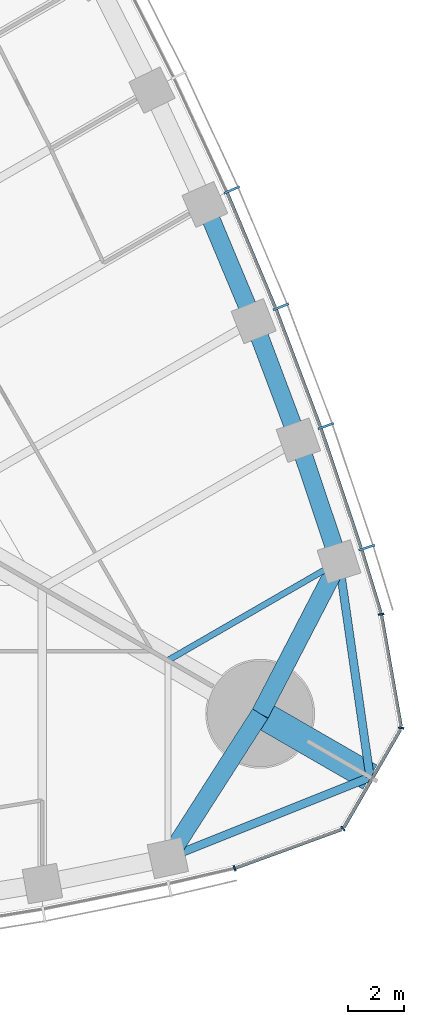
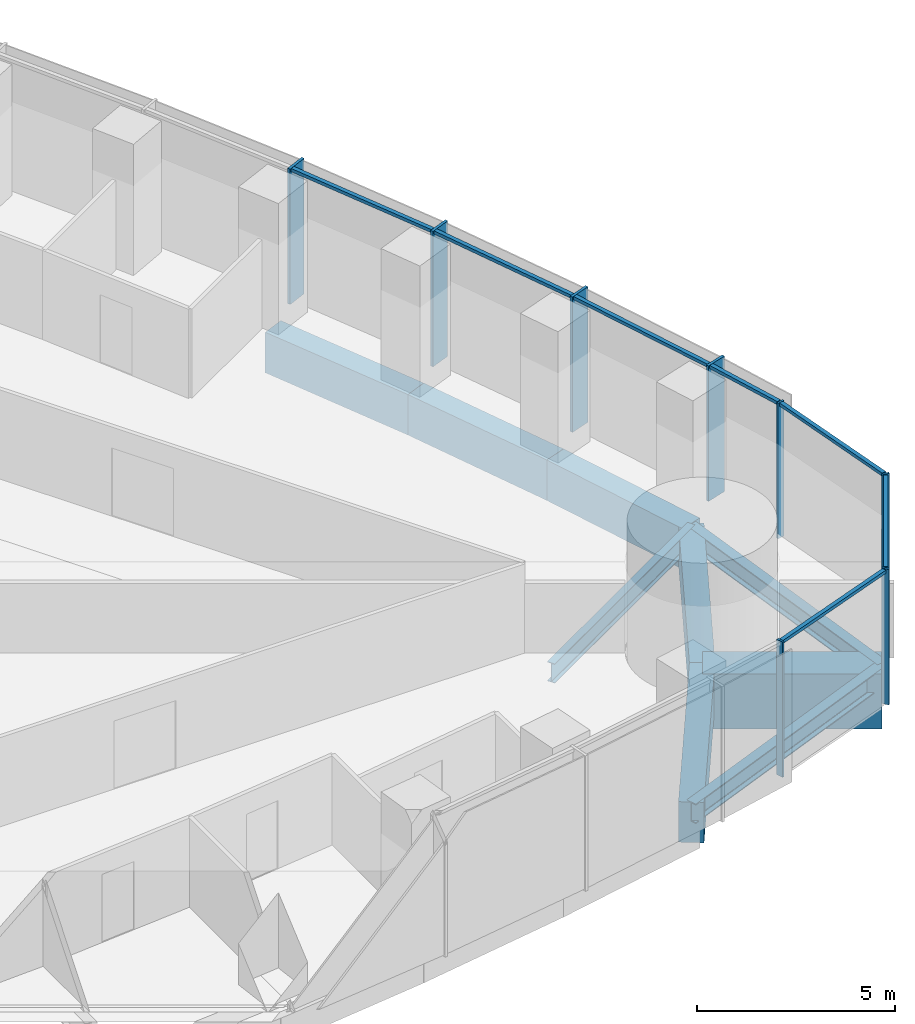
# One storey, part 8 of 21: 15 members, 9 beams, 2 elements without a shape of their own.
"""IFC4 building model written with IfcOpenShell, lengths in metres."""

from ifc_helpers import new_model, si_unit, direction, frame, origin, origin_2d, place, context, subcontext, project, spatial, rectangle, i_section, extrude, material, material_profile, profile_set, type_object, element, aggregate, save


model = new_model("IFC4")

# Units and contexts
model_context = context("Model", 3, precision=1e-05, world=origin(), true_north=direction((0.0, 1.0)))
body_context = subcontext(model_context, "Body", "Model", "MODEL_VIEW")
ifc_project = project(units=[si_unit("LENGTHUNIT", "METRE"), si_unit("AREAUNIT", "SQUARE_METRE"), si_unit("VOLUMEUNIT", "CUBIC_METRE"), si_unit("PLANEANGLEUNIT", "RADIAN"), si_unit("MASSUNIT", "GRAM", prefix="KILO")], contexts=[model_context])

# Site, building, storey
site_placement = place(None, origin())
site = spatial("IfcSite", under=ifc_project, at=site_placement, CompositionType="ELEMENT")
building_placement = place(site_placement, origin())
building = spatial("IfcBuilding", under=site, at=building_placement, Name="Trefoil Bronze Tower", CompositionType="ELEMENT")
storey_placement = place(building_placement, frame((0.0, 0.0, 145.10009765625)))
storey = spatial("IfcBuildingStorey", under=building, at=storey_placement, Name="L33", CompositionType="ELEMENT", Elevation=145.10009765625)

# Curtain wall, members
ifc_material_1 = material(Name="Tinted solar-control glass", Category="glass")
curtain_wall_type_1 = type_object("IfcCurtainWallType", Name="Bronze office curtain wall", PredefinedType="USERDEFINED", material=ifc_material_1)
curtain_wall_1_placement = place(storey_placement, origin())
curtain_wall_1 = element("IfcCurtainWall", 1, at=curtain_wall_1_placement, inside=storey, type_object=curtain_wall_type_1, Name="CW-A L33 F2", ObjectType="CURTAIN WALL", PredefinedType="USERDEFINED")
ifc_material_2 = material(Name="Bronze-finish aluminium", Category="aluminium")
ifc_material_profile_1 = material_profile(ifc_material_2, rectangle(XDim=0.60009765625, YDim=0.080078125, at=origin_2d()), Name="CW-A mullion")
ifc_profile_set_1 = profile_set([ifc_material_profile_1], Name="Bronze-finish aluminium")
member_type_1 = type_object("IfcMemberType", Name="Bronze office curtain wall mullion", PredefinedType="MULLION", material=ifc_profile_set_1)
member_1_placement = place(storey_placement, frame((34.1337890625, -11.543212890625, 0.0), z_axis=(0.0, 0.0, 1.0), x_axis=(-0.952331125357, -0.30506626768, 0.0)))
member_1 = element("IfcMember", 2, at=member_1_placement, type_object=member_type_1, Name="CW-A L33 F2 mullion 2", PredefinedType="MULLION", context=body_context, shape_type="SweptSolid", body=[
    extrude(rectangle(XDim=0.60009765625, YDim=0.080078125, at=origin_2d()), origin(), (0.0, 0.0, 1.0), 4.179931640625),
])
member_2_placement = place(storey_placement, frame((32.668701171875, -7.181884765625, 0.0), z_axis=(0.0, 0.0, 1.0), x_axis=(-0.94196250502, -0.335718094742, 0.0)))
member_2 = element("IfcMember", 3, at=member_2_placement, type_object=member_type_1, Name="CW-A L33 F2 mullion 3", PredefinedType="MULLION", context=body_context, shape_type="SweptSolid", body=[
    extrude(rectangle(XDim=0.60009765625, YDim=0.080078125, at=origin_2d()), origin(), (0.0, 0.0, 1.0), 4.179931640625),
])
member_3_placement = place(storey_placement, frame((31.055419921875, -2.90478515625, 0.0), z_axis=(0.0, 0.0, 1.0), x_axis=(-0.929071242848, -0.369900832269, 0.0)))
member_3 = element("IfcMember", 4, at=member_3_placement, type_object=member_type_1, Name="CW-A L33 F2 mullion 4", PredefinedType="MULLION", context=body_context, shape_type="SweptSolid", body=[
    extrude(rectangle(XDim=0.60009765625, YDim=0.080078125, at=origin_2d()), origin(), (0.0, 0.0, 1.0), 4.179931640625),
])
member_4_placement = place(storey_placement, frame((29.296875, 1.28857421875, 0.0), z_axis=(0.0, 0.0, 1.0), x_axis=(-0.915018269914, -0.40341240155, 0.0)))
member_4 = element("IfcMember", 5, at=member_4_placement, type_object=member_type_1, Name="CW-A L33 F2 mullion 5", PredefinedType="MULLION", context=body_context, shape_type="SweptSolid", body=[
    extrude(rectangle(XDim=0.60009765625, YDim=0.080078125, at=origin_2d()), origin(), (0.0, 0.0, 1.0), 4.179931640625),
])
ifc_material_3 = material(Name="Bronze-finish aluminium", Category="aluminium")
ifc_material_profile_2 = material_profile(ifc_material_3, rectangle(XDim=0.1201171875, YDim=0.10009765625, at=origin_2d()), Name="CW-A transom")
ifc_profile_set_2 = profile_set([ifc_material_profile_2], Name="Bronze-finish aluminium")
member_type_2 = type_object("IfcMemberType", Name="Bronze office curtain wall transom", PredefinedType="USERDEFINED", material=ifc_profile_set_2)
member_5_placement = place(storey_placement, frame((34.637939453125, -13.88232421875, 4.1298828125), z_axis=(-0.291680468798, 0.956515814883, 0.0), x_axis=(-0.956515814883, -0.291680468798, 0.0)))
member_5 = element("IfcMember", 6, at=member_5_placement, type_object=member_type_2, Name="CW-A L33 F2 transom 1", ObjectType="TRANSOM", PredefinedType="USERDEFINED", context=body_context, shape_type="SweptSolid", body=[
    extrude(rectangle(XDim=0.1201171875, YDim=0.10009765625, at=origin_2d()), origin(), (0.0, 0.0, 1.0), 2.34033203125),
])
member_6_placement = place(storey_placement, frame((33.929931640625, -11.56494140625, 4.1298828125), z_axis=(-0.318386323729, 0.947961048178, 0.0), x_axis=(-0.947961048178, -0.318386323729, 0.0)))
member_6 = element("IfcMember", 7, at=member_6_placement, type_object=member_type_2, Name="CW-A L33 F2 transom 2", ObjectType="TRANSOM", PredefinedType="USERDEFINED", context=body_context, shape_type="SweptSolid", body=[
    extrude(rectangle(XDim=0.1201171875, YDim=0.10009765625, at=origin_2d()), origin(), (0.0, 0.0, 1.0), 4.51123046875),
])
member_7_placement = place(storey_placement, frame((32.465576171875, -7.2099609375, 4.1298828125), z_axis=(-0.352932154759, 0.935648916067, 0.0), x_axis=(-0.935648916067, -0.352932154759, 0.0)))
member_7 = element("IfcMember", 8, at=member_7_placement, type_object=member_type_2, Name="CW-A L33 F2 transom 3", ObjectType="TRANSOM", PredefinedType="USERDEFINED", context=body_context, shape_type="SweptSolid", body=[
    extrude(rectangle(XDim=0.1201171875, YDim=0.10009765625, at=origin_2d()), origin(), (0.0, 0.0, 1.0), 4.48046875),
])
member_8_placement = place(storey_placement, frame((30.853515625, -2.940185546875, 4.1298828125), z_axis=(-0.386773266184, 0.922174842731, 0.0), x_axis=(-0.922174842731, -0.386773266184, 0.0)))
member_8 = element("IfcMember", 9, at=member_8_placement, type_object=member_type_2, Name="CW-A L33 F2 transom 4", ObjectType="TRANSOM", PredefinedType="USERDEFINED", context=body_context, shape_type="SweptSolid", body=[
    extrude(rectangle(XDim=0.1201171875, YDim=0.10009765625, at=origin_2d()), origin(), (0.0, 0.0, 1.0), 4.45654296875),
])
aggregate(curtain_wall_1, [member_1, member_2, member_3, member_4, member_5, member_6, member_7, member_8])

ifc_material_4 = material(Name="Tinted solar-control glass", Category="glass")
curtain_wall_type_2 = type_object("IfcCurtainWallType", Name="Bronze rounded corner curtain wall", PredefinedType="USERDEFINED", material=ifc_material_4)
curtain_wall_2_placement = place(storey_placement, origin())
curtain_wall_2 = element("IfcCurtainWall", 10, at=curtain_wall_2_placement, inside=storey, type_object=curtain_wall_type_2, Name="CW-B L33 K1", ObjectType="CURTAIN WALL", PredefinedType="USERDEFINED")
ifc_material_5 = material(Name="Bronze-finish aluminium", Category="aluminium")
ifc_material_profile_3 = material_profile(ifc_material_5, rectangle(XDim=0.199951171875, YDim=0.06005859375, at=origin_2d()), Name="CW-B mullion")
ifc_profile_set_3 = profile_set([ifc_material_profile_3], Name="Bronze-finish aluminium")
member_type_3 = type_object("IfcMemberType", Name="Bronze rounded corner curtain wall mullion", PredefinedType="MULLION", material=ifc_profile_set_3)
member_9_placement = place(storey_placement, frame((29.391845703125, -23.043701171875, 0.0), z_axis=(0.0, 0.0, 1.0), x_axis=(-0.342020143326, 0.939692620786, 0.0)))
member_9 = element("IfcMember", 11, at=member_9_placement, type_object=member_type_3, Name="CW-B L33 K1 mullion 1", PredefinedType="MULLION", context=body_context, shape_type="SweptSolid", body=[
    extrude(rectangle(XDim=0.199951171875, YDim=0.06005859375, at=origin_2d()), origin(), (0.0, 0.0, 1.0), 4.179931640625),
])
member_10_placement = place(storey_placement, frame((33.27880859375, -21.62255859375, 0.0), z_axis=(0.0, 0.0, 1.0), x_axis=(-0.642787609687, 0.766044443119, 0.0)))
member_10 = element("IfcMember", 12, at=member_10_placement, type_object=member_type_3, Name="CW-B L33 K1 mullion 2", PredefinedType="MULLION", context=body_context, shape_type="SweptSolid", body=[
    extrude(rectangle(XDim=0.199951171875, YDim=0.06005859375, at=origin_2d()), origin(), (0.0, 0.0, 1.0), 4.179931640625),
])
member_11_placement = place(storey_placement, frame((35.364990234375, -18.009033203125, 0.0), z_axis=(0.0, 0.0, 1.0), x_axis=(-0.984807753012, 0.173648177667, 0.0)))
member_11 = element("IfcMember", 13, at=member_11_placement, type_object=member_type_3, Name="CW-B L33 K1 mullion 3", PredefinedType="MULLION", context=body_context, shape_type="SweptSolid", body=[
    extrude(rectangle(XDim=0.199951171875, YDim=0.06005859375, at=origin_2d()), origin(), (0.0, 0.0, 1.0), 4.179931640625),
])
member_12_placement = place(storey_placement, frame((34.65234375, -13.932373046875, 0.0), z_axis=(0.0, 0.0, 1.0), x_axis=(-0.984807753012, -0.173648177667, 0.0)))
member_12 = element("IfcMember", 14, at=member_12_placement, type_object=member_type_3, Name="CW-B L33 K1 mullion 4", PredefinedType="MULLION", context=body_context, shape_type="SweptSolid", body=[
    extrude(rectangle(XDim=0.199951171875, YDim=0.06005859375, at=origin_2d()), origin(), (0.0, 0.0, 1.0), 4.179931640625),
])
ifc_material_6 = material(Name="Bronze-finish aluminium", Category="aluminium")
ifc_material_profile_4 = material_profile(ifc_material_6, rectangle(XDim=0.1201171875, YDim=0.10009765625, at=origin_2d()), Name="CW-B transom")
ifc_profile_set_4 = profile_set([ifc_material_profile_4], Name="Bronze-finish aluminium")
member_type_4 = type_object("IfcMemberType", Name="Bronze rounded corner curtain wall transom", PredefinedType="USERDEFINED", material=ifc_profile_set_4)
member_13_placement = place(storey_placement, frame((29.420166015625, -23.033447265625, 4.1298828125), z_axis=(0.939684096629, 0.342043562347, 0.0), x_axis=(-0.342043562347, 0.939684096629, 0.0)))
member_13 = element("IfcMember", 15, at=member_13_placement, type_object=member_type_4, Name="CW-B L33 K1 transom 1", ObjectType="TRANSOM", PredefinedType="USERDEFINED", context=body_context, shape_type="SweptSolid", body=[
    extrude(rectangle(XDim=0.1201171875, YDim=0.10009765625, at=origin_2d()), origin(), (0.0, 0.0, 1.0), 4.044189453125),
])
member_14_placement = place(storey_placement, frame((33.31591796875, -21.570068359375, 4.1298828125), z_axis=(0.500015078168, 0.866016698225, 0.0), x_axis=(-0.866016698225, 0.500015078168, 0.0)))
member_14 = element("IfcMember", 16, at=member_14_placement, type_object=member_type_4, Name="CW-B L33 K1 transom 2", ObjectType="TRANSOM", PredefinedType="USERDEFINED", context=body_context, shape_type="SweptSolid", body=[
    extrude(rectangle(XDim=0.1201171875, YDim=0.10009765625, at=origin_2d()), origin(), (0.0, 0.0, 1.0), 4.04443359375),
])
member_15_placement = place(storey_placement, frame((35.35986328125, -17.944580078125, 4.1298828125), z_axis=(-0.173682016639, 0.984801785689, 0.0), x_axis=(-0.984801785689, -0.173682016639, 0.0)))
member_15 = element("IfcMember", 17, at=member_15_placement, type_object=member_type_4, Name="CW-B L33 K1 transom 3", ObjectType="TRANSOM", PredefinedType="USERDEFINED", context=body_context, shape_type="SweptSolid", body=[
    extrude(rectangle(XDim=0.1201171875, YDim=0.10009765625, at=origin_2d()), origin(), (0.0, 0.0, 1.0), 4.044189453125),
])
aggregate(curtain_wall_2, [member_9, member_10, member_11, member_12, member_13, member_14, member_15])

# Beams
ifc_material_7 = material(Name="Concrete B80", Category="concrete")
ifc_material_profile_5 = material_profile(ifc_material_7, rectangle(XDim=1.0, YDim=1.699951171875, at=origin_2d()), Name="RC 1000x1700")
ifc_profile_set_5 = profile_set([ifc_material_profile_5], Name="Concrete B80")
beam_type_1 = type_object("IfcBeamType", Name="Corner cantilever RC 1000x1700", PredefinedType="BEAM", material=ifc_profile_set_5)
beam_1_placement = place(storey_placement, frame((30.310791015625, -17.5, -1.050048828125), z_axis=(0.866031878637, -0.499988785058, 0.0), x_axis=(0.499988785058, 0.866031878637, 0.0)))
element("IfcBeam", 18, at=beam_1_placement, inside=storey, type_object=beam_type_1, Name="Corner cantilever K1 L33", PredefinedType="BEAM", context=body_context, shape_type="SweptSolid", body=[
    extrude(rectangle(XDim=1.0, YDim=1.699951171875, at=origin_2d()), origin(), (0.0, 0.0, 1.0), 4.54931640625),
])
ifc_material_8 = material(Name="Steel C355", Category="steel")
ifc_material_profile_6 = material_profile(ifc_material_8, i_section(OverallWidth=0.300048828125, OverallDepth=0.60009765625, WebThickness=0.015380859375, FlangeThickness=0.030029296875, FilletRadius=0.027099609375, at=origin_2d()), Name="HEB 600")
ifc_profile_set_6 = profile_set([ifc_material_profile_6], Name="Steel C355")
beam_type_2 = type_object("IfcBeamType", Name="Corner edge beam HEB 600", PredefinedType="BEAM", material=ifc_profile_set_6)
for number, where, z_axis, x_axis, name in (
    (19, (27.0, -22.67724609375, -0.5), (0.928375332495, 0.371643972122, 0.0), (-0.371643972122, 0.928375332495, 0.0), "Corner edge beam F1A L33"),
    (20, (33.13916015625, -12.044189453125, -0.5), (0.142327214588, -0.989819662357, 0.0), (0.989819662357, 0.142327214588, 0.0), "Corner edge beam F2B L33"),
):
    element("IfcBeam", number, at=place(storey_placement, frame(where, z_axis=z_axis, x_axis=x_axis)), inside=storey, type_object=beam_type_2, Name=name, PredefinedType="BEAM", context=body_context, shape_type="SweptSolid", body=[
        extrude(i_section(OverallWidth=0.300048828125, OverallDepth=0.60009765625, WebThickness=0.015380859375, FlangeThickness=0.030029296875, FilletRadius=0.027099609375, at=origin_2d()), origin(), (0.0, 0.0, 1.0), 7.81005859375),
    ])
ifc_material_9 = material(Name="Concrete B80", Category="concrete")
ifc_material_profile_7 = material_profile(ifc_material_9, rectangle(XDim=0.64990234375, YDim=1.25, at=origin_2d()), Name="RC 650x1250")
ifc_profile_set_7 = profile_set([ifc_material_profile_7], Name="Concrete B80")
beam_type_3 = type_object("IfcBeamType", Name="End spandrel beam RC 650x1250", PredefinedType="SPANDREL", material=ifc_profile_set_7)
for number, where, z_axis, x_axis, name in (
    (21, (27.0, -22.67724609375, -0.8251953125), (0.53874814953, 0.84246687257, 0.0), (-0.84246687257, 0.53874814953, 0.0), "Spandrel F1.14 L33"),
    (22, (30.310791015625, -17.5, -0.8251953125), (0.460244107083, 0.887792409235, 0.0), (-0.887792409235, 0.460244107083, 0.0), "Spandrel F2.1 L33"),
):
    element("IfcBeam", number, at=place(storey_placement, frame(where, z_axis=z_axis, x_axis=x_axis)), inside=storey, type_object=beam_type_3, Name=name, PredefinedType="SPANDREL", context=body_context, shape_type="SweptSolid", body=[
        extrude(rectangle(XDim=0.64990234375, YDim=1.25, at=origin_2d()), origin(), (0.0, 0.0, 1.0), 6.145263671875),
    ])
ifc_material_10 = material(Name="Steel C355", Category="steel")
ifc_material_profile_8 = material_profile(ifc_material_10, i_section(OverallWidth=0.219970703125, OverallDepth=0.60009765625, WebThickness=0.011962890625, FlangeThickness=0.01904296875, FilletRadius=0.02392578125, at=origin_2d()), Name="IPE 600")
ifc_profile_set_8 = profile_set([ifc_material_profile_8], Name="Steel C355")
beam_type_4 = type_object("IfcBeamType", Name="Floor beam IPE 600", PredefinedType="BEAM", material=ifc_profile_set_8)
beam_2_placement = place(storey_placement, frame((33.13916015625, -12.044189453125, -0.5), z_axis=(-0.866041060244, -0.499972881236, 0.0), x_axis=(0.499972881236, -0.866041060244, 0.0)))
element("IfcBeam", 23, at=beam_2_placement, inside=storey, type_object=beam_type_4, Name="Floor beam F2/-6 L33", PredefinedType="BEAM", context=body_context, shape_type="SweptSolid", body=[
    extrude(i_section(OverallWidth=0.219970703125, OverallDepth=0.60009765625, WebThickness=0.011962890625, FlangeThickness=0.01904296875, FilletRadius=0.02392578125, at=origin_2d()), origin(), (0.0, 0.0, 1.0), 7.0888671875),
])
ifc_material_11 = material(Name="Concrete B80", Category="concrete")
ifc_material_profile_9 = material_profile(ifc_material_11, rectangle(XDim=0.64990234375, YDim=1.25, at=origin_2d()), Name="RC 650x1250")
ifc_profile_set_9 = profile_set([ifc_material_profile_9], Name="Concrete B80")
beam_type_5 = type_object("IfcBeamType", Name="Spandrel beam RC 650x1250", PredefinedType="SPANDREL", material=ifc_profile_set_9)
beam_3_placement = place(storey_placement, frame((33.13916015625, -12.044189453125, -0.8251953125), z_axis=(-0.31732802068, 0.948315837309, 0.0), x_axis=(-0.948315837309, -0.31732802068, 0.0)))
element("IfcBeam", 24, at=beam_3_placement, inside=storey, type_object=beam_type_5, Name="Spandrel F2.2 L33", PredefinedType="SPANDREL", context=body_context, shape_type="SweptSolid", body=[
    extrude(rectangle(XDim=0.64990234375, YDim=1.25, at=origin_2d()), origin(), (0.0, 0.0, 1.0), 4.59228515625),
])
beam_4_placement = place(storey_placement, frame((31.681884765625, -7.689208984375, -0.8251953125), z_axis=(-0.351938675523, 0.936023059904, 0.0), x_axis=(-0.936023059904, -0.351938675523, 0.0)))
element("IfcBeam", 25, at=beam_4_placement, inside=storey, type_object=beam_type_5, Name="Spandrel F2.3 L33", PredefinedType="SPANDREL", context=body_context, shape_type="SweptSolid", body=[
    extrude(rectangle(XDim=0.64990234375, YDim=1.25, at=origin_2d()), origin(), (0.0, 0.0, 1.0), 4.56103515625),
])
beam_5_placement = place(storey_placement, frame((30.07666015625, -3.419921875, -0.8251953125), z_axis=(-0.386013490858, 0.922493135408, 0.0), x_axis=(-0.922493135408, -0.386013490858, 0.0)))
element("IfcBeam", 26, at=beam_5_placement, inside=storey, type_object=beam_type_5, Name="Spandrel F2.4 L33", PredefinedType="SPANDREL", context=body_context, shape_type="SweptSolid", body=[
    extrude(rectangle(XDim=0.64990234375, YDim=1.25, at=origin_2d()), origin(), (0.0, 0.0, 1.0), 4.53662109375),
])

save(model, "model.ifc")
